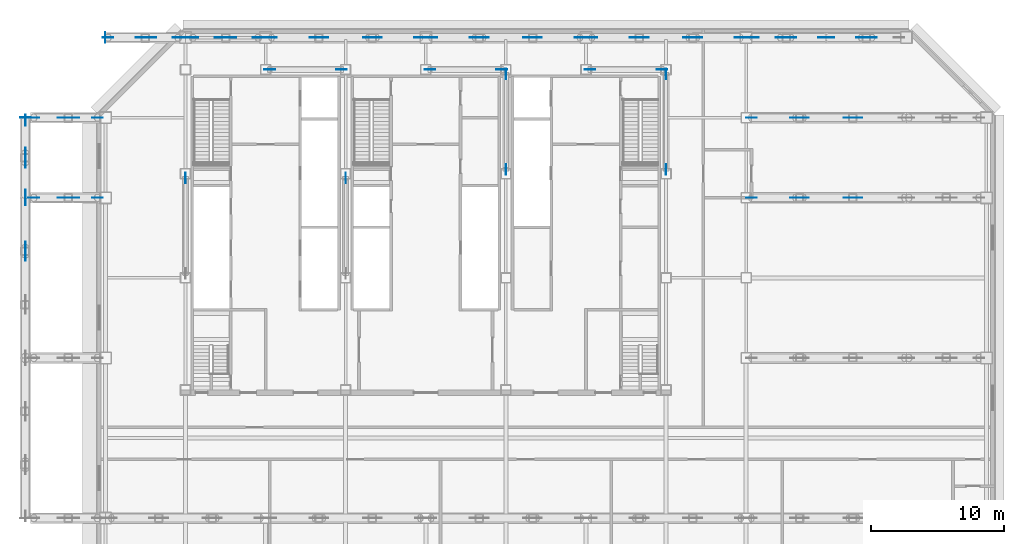
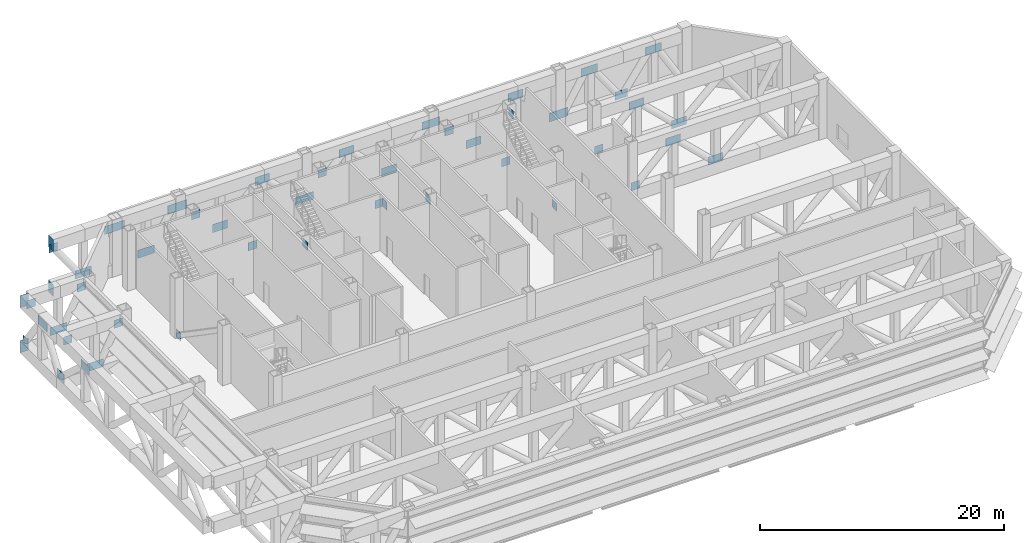
# One storey, part 13 of 17: 49 discrete accessories.
"""IFC4 building model written with IfcOpenShell, lengths in metres."""

from ifc_helpers import new_model, si_unit, direction, frame, origin, origin_2d, place, context, subcontext, project, spatial, rectangle, extrude, material, layer, layer_set, type_object, element, save


model = new_model("IFC4")

# Units and contexts
model_context = context("Model", 3, precision=1e-05, world=origin(), true_north=direction((0.0, 1.0)))
body_context = subcontext(model_context, "Body", "Model", "MODEL_VIEW")
ifc_project = project(units=[si_unit("LENGTHUNIT", "METRE"), si_unit("AREAUNIT", "SQUARE_METRE"), si_unit("VOLUMEUNIT", "CUBIC_METRE"), si_unit("PLANEANGLEUNIT", "RADIAN"), si_unit("MASSUNIT", "GRAM", prefix="KILO")], contexts=[model_context])

# Site, building, storey
site_placement = place(None, origin())
site = spatial("IfcSite", under=ifc_project, at=site_placement, CompositionType="ELEMENT")
building_placement = place(site_placement, origin())
building = spatial("IfcBuilding", under=site, at=building_placement, Name="Sorahane Residences", CompositionType="ELEMENT")
storey_placement = place(building_placement, frame((0.0, 0.0, 90.199951171875)))
storey = spatial("IfcBuildingStorey", under=building, at=storey_placement, Name="L19", CompositionType="ELEMENT", Elevation=90.199951171875)

# Discrete accessories
ifc_material_1 = material(Name="Steel Q420GJ", Category="steel")
ifc_layer_1 = layer(ifc_material_1, 0.02001953125)
ifc_layer_set_1 = layer_set([ifc_layer_1], Name="End plate Steel Q420GJ 800x1200x20")
discrete_accessory_type_1 = type_object("IfcDiscreteAccessoryType", Name="End plate Steel Q420GJ 800x1200x20", PredefinedType="USERDEFINED", material=ifc_layer_set_1)
for number, where, z_axis, x_axis, name in (
    (1, (-0.010009765625, 48.0, 0.0), (0.0, 0.0, 1.0), (1.0, 0.0, 0.0), "End plate L19"),
    (2, (-0.010009765625, 48.0, 4.5), (0.0, 0.0, 1.0), (1.0, 0.0, 0.0), "End plate L19"),
    (3, (-6.0, 42.010009765625, 0.0), (0.0, 0.0, 1.0), (0.0, 1.0, 0.0), "End plate L19"),
    (4, (-6.0, 42.010009765625, 4.5), (0.0, 0.0, 1.0), (0.0, 1.0, 0.0), "End plate L19"),
):
    element("IfcDiscreteAccessory", number, at=place(storey_placement, frame(where, z_axis=z_axis, x_axis=x_axis)), inside=storey, type_object=discrete_accessory_type_1, Name=name, ObjectType="END PLATE", PredefinedType="USERDEFINED", context=body_context, shape_type="SweptSolid", body=[
        extrude(rectangle(XDim=0.02001953125, YDim=0.800048828125, at=origin_2d()), origin(), (0.0, 0.0, 1.0), 1.199951171875),
    ])
ifc_material_2 = material(Name="Steel Q355B", Category="steel")
ifc_layer_2 = layer(ifc_material_2, 0.02490234375)
ifc_layer_set_2 = layer_set([ifc_layer_2], Name="Node plate Steel Q355B 25")
discrete_accessory_type_2 = type_object("IfcDiscreteAccessoryType", Name="Node plate Steel Q355B 25", PredefinedType="BRACKET", material=ifc_layer_set_2)
for number, where, z_axis, x_axis, name in (
    (5, (6.0, 37.476318359375, -0.2275390625), (0.0, 0.0, 1.0), (0.0, 1.0, 0.0), "Node plate L19 br"),
    (6, (18.0, 37.476318359375, 4.67724609375), (0.0, 0.0, 1.0), (0.0, 1.0, 0.0), "Node plate L19 br"),
    (7, (30.0, 45.2763671875, -0.2275390625), (0.0, 0.0, 1.0), (0.0, 1.0, 0.0), "Node plate L19 br"),
    (8, (30.0, 38.123779296875, 4.67724609375), (0.0, 0.0, 1.0), (0.0, 1.0, 0.0), "Node plate L19 br"),
    (9, (42.0, 38.123779296875, -0.2275390625), (0.0, 0.0, 1.0), (0.0, 1.0, 0.0), "Node plate L19 br"),
    (10, (42.0, 45.2763671875, 4.67724609375), (0.0, 0.0, 1.0), (0.0, 1.0, 0.0), "Node plate L19 br"),
    (11, (17.691650390625, 45.60009765625, -0.25927734375), (0.0, 0.0, 1.0), (1.0, 0.0, 0.0), "Node plate L19 br"),
    (12, (29.691650390625, 45.60009765625, -0.25927734375), (0.0, 0.0, 1.0), (1.0, 0.0, 0.0), "Node plate L19 br"),
    (13, (41.691650390625, 45.60009765625, -0.25927734375), (0.0, 0.0, 1.0), (1.0, 0.0, 0.0), "Node plate L19 br"),
    (14, (12.308349609375, 45.60009765625, 4.70947265625), (0.0, 0.0, 1.0), (1.0, 0.0, 0.0), "Node plate L19 br"),
    (15, (24.308349609375, 45.60009765625, 4.70947265625), (0.0, 0.0, 1.0), (1.0, 0.0, 0.0), "Node plate L19 br"),
    (16, (36.308349609375, 45.60009765625, 4.70947265625), (0.0, 0.0, 1.0), (1.0, 0.0, 0.0), "Node plate L19 br"),
):
    element("IfcDiscreteAccessory", number, at=place(storey_placement, frame(where, z_axis=z_axis, x_axis=x_axis)), inside=storey, type_object=discrete_accessory_type_2, Name=name, PredefinedType="BRACKET", context=body_context, shape_type="SweptSolid", body=[
        extrude(rectangle(XDim=0.800048828125, YDim=0.02490234375, at=origin_2d()), origin(), (0.0, 0.0, 1.0), 0.800048828125),
    ])
ifc_material_3 = material(Name="Steel Q420GJ", Category="steel")
ifc_layer_3 = layer(ifc_material_3, 0.02490234375)
ifc_layer_set_3 = layer_set([ifc_layer_3], Name="Node plate Steel Q420GJ 25")
discrete_accessory_type_3 = type_object("IfcDiscreteAccessoryType", Name="Node plate Steel Q420GJ 25", PredefinedType="BRACKET", material=ifc_layer_set_3)
discrete_accessory_1_placement = place(storey_placement, frame((-6.0, 36.021484375, 0.70849609375), z_axis=(0.0, 0.0, 1.0), x_axis=(0.0, 1.0, 0.0)))
element("IfcDiscreteAccessory", 17, at=discrete_accessory_1_placement, inside=storey, type_object=discrete_accessory_type_3, Name="Node plate L19 tr", PredefinedType="BRACKET", context=body_context, shape_type="SweptSolid", body=[
    extrude(rectangle(XDim=1.142578125, YDim=0.02490234375, at=origin_2d()), origin(), (0.0, 0.0, 1.0), 0.925537109375),
])
discrete_accessory_2_placement = place(storey_placement, frame((-6.0, 41.807373046875, 0.70849609375), z_axis=(0.0, 0.0, 1.0), x_axis=(0.0, 1.0, 0.0)))
element("IfcDiscreteAccessory", 18, at=discrete_accessory_2_placement, inside=storey, type_object=discrete_accessory_type_3, Name="Node plate L19 tr", PredefinedType="BRACKET", context=body_context, shape_type="SweptSolid", body=[
    extrude(rectangle(XDim=0.800048828125, YDim=0.02490234375, at=origin_2d()), origin(), (0.0, 0.0, 1.0), 0.800048828125),
])
discrete_accessory_3_placement = place(storey_placement, frame((-6.0, 32.0, 4.06640625), z_axis=(0.0, 0.0, 1.0), x_axis=(0.0, 1.0, 0.0)))
element("IfcDiscreteAccessory", 19, at=discrete_accessory_3_placement, inside=storey, type_object=discrete_accessory_type_3, Name="Node plate L19 tr", PredefinedType="BRACKET", context=body_context, shape_type="SweptSolid", body=[
    extrude(rectangle(XDim=1.39990234375, YDim=0.02490234375, at=origin_2d()), origin(), (0.0, 0.0, 1.0), 0.819580078125),
])
discrete_accessory_4_placement = place(storey_placement, frame((-6.0, 39.0, 4.19189453125), z_axis=(0.0, 0.0, 1.0), x_axis=(0.0, 1.0, 0.0)))
element("IfcDiscreteAccessory", 20, at=discrete_accessory_4_placement, inside=storey, type_object=discrete_accessory_type_3, Name="Node plate L19 tr", PredefinedType="BRACKET", context=body_context, shape_type="SweptSolid", body=[
    extrude(rectangle(XDim=1.4853515625, YDim=0.02490234375, at=origin_2d()), origin(), (0.0, 0.0, 1.0), 0.800048828125),
])
discrete_accessory_5_placement = place(storey_placement, frame((-2.773681640625, 36.0, 0.712890625), z_axis=(0.0, 0.0, 1.0), x_axis=(1.0, 0.0, 0.0)))
element("IfcDiscreteAccessory", 21, at=discrete_accessory_5_placement, inside=storey, type_object=discrete_accessory_type_3, Name="Node plate L19 tr", PredefinedType="BRACKET", context=body_context, shape_type="SweptSolid", body=[
    extrude(rectangle(XDim=1.612060546875, YDim=0.02490234375, at=origin_2d()), origin(), (0.0, 0.0, 1.0), 0.807861328125),
])
discrete_accessory_6_placement = place(storey_placement, frame((48.39990234375, 36.0, 0.7998046875), z_axis=(0.0, 0.0, 1.0), x_axis=(1.0, 0.0, 0.0)))
element("IfcDiscreteAccessory", 22, at=discrete_accessory_6_placement, inside=storey, type_object=discrete_accessory_type_3, Name="Node plate L19 tr", PredefinedType="BRACKET", context=body_context, shape_type="SweptSolid", body=[
    extrude(rectangle(XDim=0.800048828125, YDim=0.02490234375, at=origin_2d()), origin(), (0.0, 0.0, 1.0), 0.800048828125),
])
discrete_accessory_7_placement = place(storey_placement, frame((56.0, 36.0, 0.814453125), z_axis=(0.0, 0.0, 1.0), x_axis=(1.0, 0.0, 0.0)))
element("IfcDiscreteAccessory", 23, at=discrete_accessory_7_placement, inside=storey, type_object=discrete_accessory_type_3, Name="Node plate L19 tr", PredefinedType="BRACKET", context=body_context, shape_type="SweptSolid", body=[
    extrude(rectangle(XDim=1.39990234375, YDim=0.02490234375, at=origin_2d()), origin(), (0.0, 0.0, 1.0), 0.819580078125),
])
for number, where, z_axis, x_axis, name in (
    (24, (-5.3701171875, 36.0, 4.18701171875), (0.0, 0.0, 1.0), (1.0, 0.0, 0.0), "Node plate L19 tr"),
    (25, (-0.582275390625, 36.0, 4.17919921875), (0.0, 0.0, 1.0), (1.0, 0.0, 0.0), "Node plate L19 tr"),
):
    element("IfcDiscreteAccessory", number, at=place(storey_placement, frame(where, z_axis=z_axis, x_axis=x_axis)), inside=storey, type_object=discrete_accessory_type_3, Name=name, PredefinedType="BRACKET", context=body_context, shape_type="SweptSolid", body=[
        extrude(rectangle(XDim=0.800048828125, YDim=0.02490234375, at=origin_2d()), origin(), (0.0, 0.0, 1.0), 0.800048828125),
    ])
discrete_accessory_8_placement = place(storey_placement, frame((52.0, 36.0, 4.0859375), z_axis=(0.0, 0.0, 1.0), x_axis=(1.0, 0.0, 0.0)))
element("IfcDiscreteAccessory", 26, at=discrete_accessory_8_placement, inside=storey, type_object=discrete_accessory_type_3, Name="Node plate L19 tr", PredefinedType="BRACKET", context=body_context, shape_type="SweptSolid", body=[
    extrude(rectangle(XDim=1.39990234375, YDim=0.02490234375, at=origin_2d()), origin(), (0.0, 0.0, 1.0), 0.814208984375),
])
discrete_accessory_9_placement = place(storey_placement, frame((-2.773681640625, 42.0, 0.712890625), z_axis=(0.0, 0.0, 1.0), x_axis=(1.0, 0.0, 0.0)))
element("IfcDiscreteAccessory", 27, at=discrete_accessory_9_placement, inside=storey, type_object=discrete_accessory_type_3, Name="Node plate L19 tr", PredefinedType="BRACKET", context=body_context, shape_type="SweptSolid", body=[
    extrude(rectangle(XDim=1.612060546875, YDim=0.02490234375, at=origin_2d()), origin(), (0.0, 0.0, 1.0), 0.807861328125),
])
discrete_accessory_10_placement = place(storey_placement, frame((48.39990234375, 42.0, 0.7998046875), z_axis=(0.0, 0.0, 1.0), x_axis=(1.0, 0.0, 0.0)))
element("IfcDiscreteAccessory", 28, at=discrete_accessory_10_placement, inside=storey, type_object=discrete_accessory_type_3, Name="Node plate L19 tr", PredefinedType="BRACKET", context=body_context, shape_type="SweptSolid", body=[
    extrude(rectangle(XDim=0.800048828125, YDim=0.02490234375, at=origin_2d()), origin(), (0.0, 0.0, 1.0), 0.800048828125),
])
discrete_accessory_11_placement = place(storey_placement, frame((56.0, 42.0, 0.814453125), z_axis=(0.0, 0.0, 1.0), x_axis=(1.0, 0.0, 0.0)))
element("IfcDiscreteAccessory", 29, at=discrete_accessory_11_placement, inside=storey, type_object=discrete_accessory_type_3, Name="Node plate L19 tr", PredefinedType="BRACKET", context=body_context, shape_type="SweptSolid", body=[
    extrude(rectangle(XDim=1.39990234375, YDim=0.02490234375, at=origin_2d()), origin(), (0.0, 0.0, 1.0), 0.819580078125),
])
for number, where, z_axis, x_axis, name in (
    (30, (-5.3701171875, 42.0, 4.18701171875), (0.0, 0.0, 1.0), (1.0, 0.0, 0.0), "Node plate L19 tr"),
    (31, (-0.582275390625, 42.0, 4.17919921875), (0.0, 0.0, 1.0), (1.0, 0.0, 0.0), "Node plate L19 tr"),
):
    element("IfcDiscreteAccessory", number, at=place(storey_placement, frame(where, z_axis=z_axis, x_axis=x_axis)), inside=storey, type_object=discrete_accessory_type_3, Name=name, PredefinedType="BRACKET", context=body_context, shape_type="SweptSolid", body=[
        extrude(rectangle(XDim=0.800048828125, YDim=0.02490234375, at=origin_2d()), origin(), (0.0, 0.0, 1.0), 0.800048828125),
    ])
discrete_accessory_12_placement = place(storey_placement, frame((52.0, 42.0, 4.0859375), z_axis=(0.0, 0.0, 1.0), x_axis=(1.0, 0.0, 0.0)))
element("IfcDiscreteAccessory", 32, at=discrete_accessory_12_placement, inside=storey, type_object=discrete_accessory_type_3, Name="Node plate L19 tr", PredefinedType="BRACKET", context=body_context, shape_type="SweptSolid", body=[
    extrude(rectangle(XDim=1.39990234375, YDim=0.02490234375, at=origin_2d()), origin(), (0.0, 0.0, 1.0), 0.814208984375),
])
discrete_accessory_13_placement = place(storey_placement, frame((3.027587890625, 48.0, 0.70849609375), z_axis=(0.0, 0.0, 1.0), x_axis=(1.0, 0.0, 0.0)))
element("IfcDiscreteAccessory", 33, at=discrete_accessory_13_placement, inside=storey, type_object=discrete_accessory_type_3, Name="Node plate L19 tr", PredefinedType="BRACKET", context=body_context, shape_type="SweptSolid", body=[
    extrude(rectangle(XDim=1.540283203125, YDim=0.02490234375, at=origin_2d()), origin(), (0.0, 0.0, 1.0), 0.80712890625),
])
discrete_accessory_14_placement = place(storey_placement, frame((9.0, 48.0, 0.71533203125), z_axis=(0.0, 0.0, 1.0), x_axis=(1.0, 0.0, 0.0)))
element("IfcDiscreteAccessory", 34, at=discrete_accessory_14_placement, inside=storey, type_object=discrete_accessory_type_3, Name="Node plate L19 tr", PredefinedType="BRACKET", context=body_context, shape_type="SweptSolid", body=[
    extrude(rectangle(XDim=1.595458984375, YDim=0.02490234375, at=origin_2d()), origin(), (0.0, 0.0, 1.0), 0.800048828125),
])
discrete_accessory_15_placement = place(storey_placement, frame((16.0, 48.0, 0.79248046875), z_axis=(0.0, 0.0, 1.0), x_axis=(1.0, 0.0, 0.0)))
element("IfcDiscreteAccessory", 35, at=discrete_accessory_15_placement, inside=storey, type_object=discrete_accessory_type_3, Name="Node plate L19 tr", PredefinedType="BRACKET", context=body_context, shape_type="SweptSolid", body=[
    extrude(rectangle(XDim=1.39990234375, YDim=0.02490234375, at=origin_2d()), origin(), (0.0, 0.0, 1.0), 0.82177734375),
])
discrete_accessory_16_placement = place(storey_placement, frame((24.0, 48.0, 0.79248046875), z_axis=(0.0, 0.0, 1.0), x_axis=(1.0, 0.0, 0.0)))
element("IfcDiscreteAccessory", 36, at=discrete_accessory_16_placement, inside=storey, type_object=discrete_accessory_type_3, Name="Node plate L19 tr", PredefinedType="BRACKET", context=body_context, shape_type="SweptSolid", body=[
    extrude(rectangle(XDim=1.699951171875, YDim=0.02490234375, at=origin_2d()), origin(), (0.0, 0.0, 1.0), 0.800048828125),
])
for number, where, z_axis, x_axis, name in (
    (37, (32.0, 48.0, 0.79248046875), (0.0, 0.0, 1.0), (1.0, 0.0, 0.0), "Node plate L19 tr"),
    (38, (40.0, 48.0, 0.79248046875), (0.0, 0.0, 1.0), (1.0, 0.0, 0.0), "Node plate L19 tr"),
):
    element("IfcDiscreteAccessory", number, at=place(storey_placement, frame(where, z_axis=z_axis, x_axis=x_axis)), inside=storey, type_object=discrete_accessory_type_3, Name=name, PredefinedType="BRACKET", context=body_context, shape_type="SweptSolid", body=[
        extrude(rectangle(XDim=1.39990234375, YDim=0.02490234375, at=origin_2d()), origin(), (0.0, 0.0, 1.0), 0.82177734375),
    ])
discrete_accessory_17_placement = place(storey_placement, frame((48.048828125, 48.0, 0.715576171875), z_axis=(0.0, 0.0, 1.0), x_axis=(1.0, 0.0, 0.0)))
element("IfcDiscreteAccessory", 39, at=discrete_accessory_17_placement, inside=storey, type_object=discrete_accessory_type_3, Name="Node plate L19 tr", PredefinedType="BRACKET", context=body_context, shape_type="SweptSolid", body=[
    extrude(rectangle(XDim=1.797607421875, YDim=0.02490234375, at=origin_2d()), origin(), (0.0, 0.0, 1.0), 0.876953125),
])
discrete_accessory_18_placement = place(storey_placement, frame((54.0, 48.0, 0.70849609375), z_axis=(0.0, 0.0, 1.0), x_axis=(1.0, 0.0, 0.0)))
element("IfcDiscreteAccessory", 40, at=discrete_accessory_18_placement, inside=storey, type_object=discrete_accessory_type_3, Name="Node plate L19 tr", PredefinedType="BRACKET", context=body_context, shape_type="SweptSolid", body=[
    extrude(rectangle(XDim=1.185302734375, YDim=0.02490234375, at=origin_2d()), origin(), (0.0, 0.0, 1.0), 0.800048828125),
])
discrete_accessory_19_placement = place(storey_placement, frame((0.192626953125, 48.0, 4.19189453125), z_axis=(0.0, 0.0, 1.0), x_axis=(1.0, 0.0, 0.0)))
element("IfcDiscreteAccessory", 41, at=discrete_accessory_19_placement, inside=storey, type_object=discrete_accessory_type_3, Name="Node plate L19 tr", PredefinedType="BRACKET", context=body_context, shape_type="SweptSolid", body=[
    extrude(rectangle(XDim=0.800048828125, YDim=0.02490234375, at=origin_2d()), origin(), (0.0, 0.0, 1.0), 0.800048828125),
])
discrete_accessory_20_placement = place(storey_placement, frame((6.0, 48.0, 4.1845703125), z_axis=(0.0, 0.0, 1.0), x_axis=(1.0, 0.0, 0.0)))
element("IfcDiscreteAccessory", 42, at=discrete_accessory_20_placement, inside=storey, type_object=discrete_accessory_type_3, Name="Node plate L19 tr", PredefinedType="BRACKET", context=body_context, shape_type="SweptSolid", body=[
    extrude(rectangle(XDim=1.8955078125, YDim=0.02490234375, at=origin_2d()), origin(), (0.0, 0.0, 1.0), 0.800048828125),
])
discrete_accessory_21_placement = place(storey_placement, frame((11.951171875, 48.0, 4.107666015625), z_axis=(0.0, 0.0, 1.0), x_axis=(1.0, 0.0, 0.0)))
element("IfcDiscreteAccessory", 43, at=discrete_accessory_21_placement, inside=storey, type_object=discrete_accessory_type_3, Name="Node plate L19 tr", PredefinedType="BRACKET", context=body_context, shape_type="SweptSolid", body=[
    extrude(rectangle(XDim=1.797607421875, YDim=0.02490234375, at=origin_2d()), origin(), (0.0, 0.0, 1.0), 0.876953125),
])
for number, where, z_axis, x_axis, name in (
    (44, (20.0, 48.0, 4.085693359375), (0.0, 0.0, 1.0), (1.0, 0.0, 0.0), "Node plate L19 tr"),
    (45, (28.0, 48.0, 4.085693359375), (0.0, 0.0, 1.0), (1.0, 0.0, 0.0), "Node plate L19 tr"),
):
    element("IfcDiscreteAccessory", number, at=place(storey_placement, frame(where, z_axis=z_axis, x_axis=x_axis)), inside=storey, type_object=discrete_accessory_type_3, Name=name, PredefinedType="BRACKET", context=body_context, shape_type="SweptSolid", body=[
        extrude(rectangle(XDim=1.39990234375, YDim=0.02490234375, at=origin_2d()), origin(), (0.0, 0.0, 1.0), 0.82177734375),
    ])
discrete_accessory_22_placement = place(storey_placement, frame((36.0, 48.0, 4.107421875), z_axis=(0.0, 0.0, 1.0), x_axis=(1.0, 0.0, 0.0)))
element("IfcDiscreteAccessory", 46, at=discrete_accessory_22_placement, inside=storey, type_object=discrete_accessory_type_3, Name="Node plate L19 tr", PredefinedType="BRACKET", context=body_context, shape_type="SweptSolid", body=[
    extrude(rectangle(XDim=1.699951171875, YDim=0.02490234375, at=origin_2d()), origin(), (0.0, 0.0, 1.0), 0.800048828125),
])
discrete_accessory_23_placement = place(storey_placement, frame((44.0, 48.0, 4.085693359375), z_axis=(0.0, 0.0, 1.0), x_axis=(1.0, 0.0, 0.0)))
element("IfcDiscreteAccessory", 47, at=discrete_accessory_23_placement, inside=storey, type_object=discrete_accessory_type_3, Name="Node plate L19 tr", PredefinedType="BRACKET", context=body_context, shape_type="SweptSolid", body=[
    extrude(rectangle(XDim=1.39990234375, YDim=0.02490234375, at=origin_2d()), origin(), (0.0, 0.0, 1.0), 0.82177734375),
])
for number, where, z_axis, x_axis, name in (
    (48, (50.972412109375, 48.0, 4.1845703125), (0.0, 0.0, 1.0), (1.0, 0.0, 0.0), "Node plate L19 tr"),
    (49, (57.027587890625, 48.0, 4.1845703125), (0.0, 0.0, 1.0), (1.0, 0.0, 0.0), "Node plate L19 tr"),
):
    element("IfcDiscreteAccessory", number, at=place(storey_placement, frame(where, z_axis=z_axis, x_axis=x_axis)), inside=storey, type_object=discrete_accessory_type_3, Name=name, PredefinedType="BRACKET", context=body_context, shape_type="SweptSolid", body=[
        extrude(rectangle(XDim=1.540283203125, YDim=0.02490234375, at=origin_2d()), origin(), (0.0, 0.0, 1.0), 0.80712890625),
    ])

save(model, "model.ifc")
